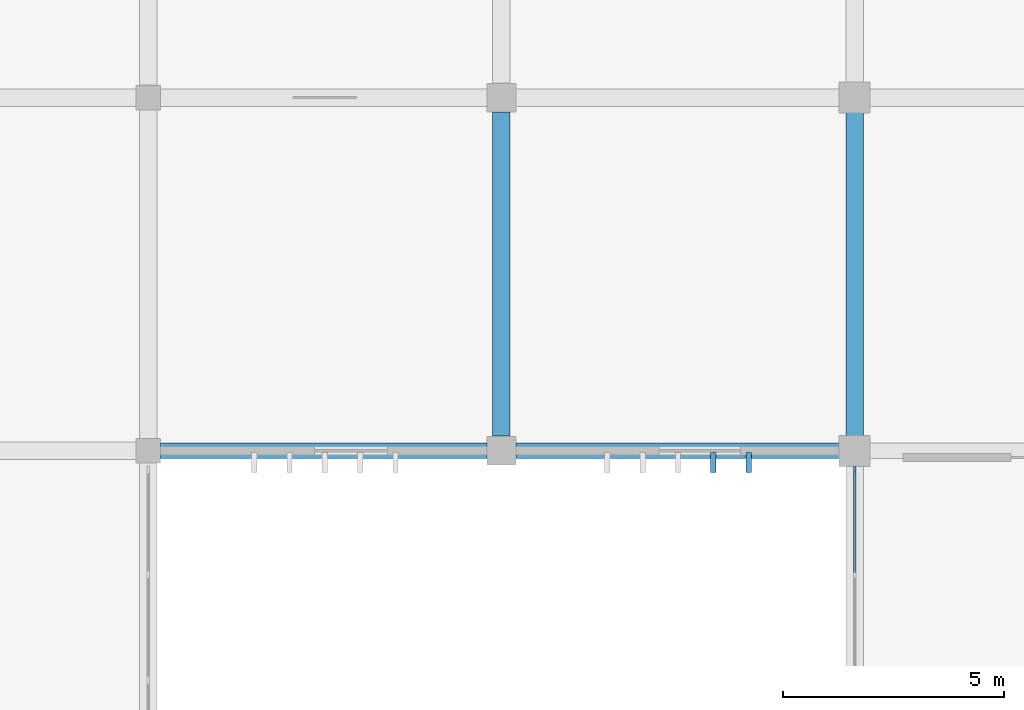
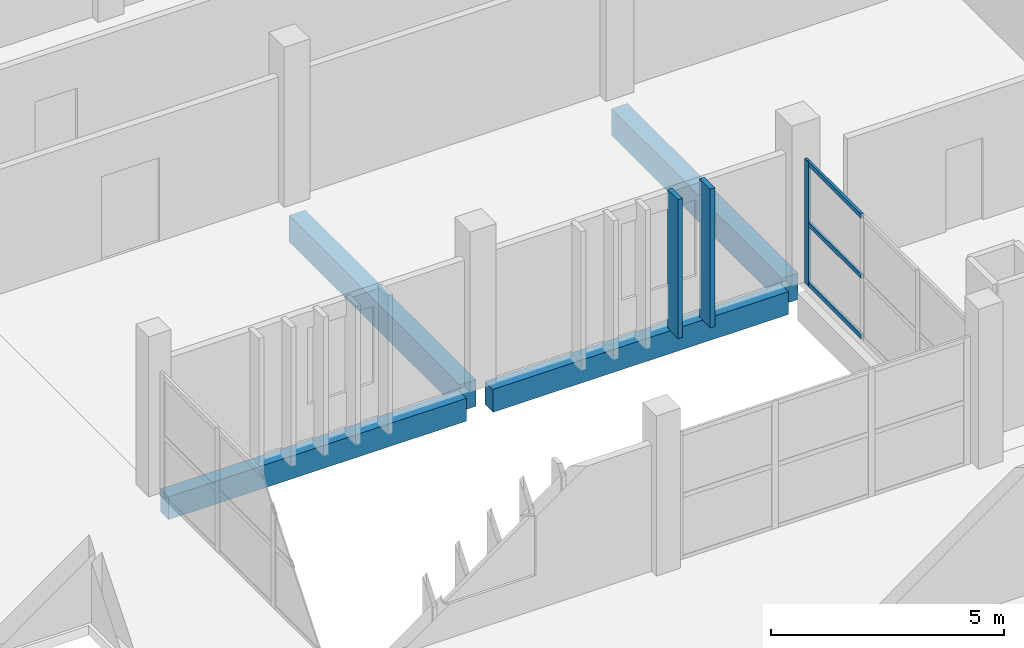
# One storey, part 23 of 83: 6 members, 4 beams, 1 element without a shape of its own.
"""IFC4 building model written with IfcOpenShell, lengths in metres."""

from ifc_helpers import new_model, si_unit, direction, frame, origin, origin_2d, place, context, subcontext, project, spatial, rectangle, extrude, material, layer, layer_set, material_profile, profile_set, type_object, element, aggregate, save


model = new_model("IFC4")

# Units and contexts
model_context = context("Model", 3, precision=1e-05, world=origin(), true_north=direction((0.0, 1.0)))
body_context = subcontext(model_context, "Body", "Model", "MODEL_VIEW")
ifc_project = project(units=[si_unit("LENGTHUNIT", "METRE"), si_unit("AREAUNIT", "SQUARE_METRE"), si_unit("VOLUMEUNIT", "CUBIC_METRE"), si_unit("PLANEANGLEUNIT", "RADIAN"), si_unit("MASSUNIT", "GRAM", prefix="KILO")], contexts=[model_context])

# Site, building, storey
site_placement = place(None, origin())
site = spatial("IfcSite", under=ifc_project, at=site_placement, CompositionType="ELEMENT")
building_placement = place(site_placement, origin())
building = spatial("IfcBuilding", under=site, at=building_placement, Name="Jelvoka-Kovrelna Polytechnic", CompositionType="ELEMENT")
storey_placement = place(building_placement, frame((0.0, 0.0, 13.800048828125)))
storey = spatial("IfcBuildingStorey", under=building, at=storey_placement, Name="L04", CompositionType="ELEMENT", Elevation=13.800048828125)

# Beams
ifc_material_1 = material(Name="Concrete C40/50", Category="concrete")
ifc_material_profile_1 = material_profile(ifc_material_1, rectangle(XDim=0.39990234375, YDim=0.699951171875, at=origin_2d()), Name="RC 400x700")
ifc_profile_set_1 = profile_set([ifc_material_profile_1], Name="Concrete C40/50")
beam_type_1 = type_object("IfcBeamType", Name="Beam_RC_400x700", PredefinedType="BEAM", material=ifc_profile_set_1)
for number, where, z_axis, x_axis, name in (
    (1, (64.0, 56.330078125, -0.60009765625), (0.0, 1.0, 0.0), (-1.0, 0.0, 0.0), "L04 beam 1280"),
    (2, (72.0, 56.330078125, -0.60009765625), (0.0, 1.0, 0.0), (-1.0, 0.0, 0.0), "L04 beam 1282"),
):
    element("IfcBeam", number, at=place(storey_placement, frame(where, z_axis=z_axis, x_axis=x_axis)), inside=storey, type_object=beam_type_1, Name=name, PredefinedType="BEAM", context=body_context, shape_type="SweptSolid", body=[
        extrude(rectangle(XDim=0.39990234375, YDim=0.699951171875, at=origin_2d()), origin(), (0.0, 0.0, 1.0), 7.33984375),
    ])

# Members
ifc_material_2 = material(Name="Precast concrete C40/50", Category="concrete")
ifc_material_profile_2 = material_profile(ifc_material_2, rectangle(XDim=0.1201171875, YDim=0.449951171875, at=origin_2d()), Name="PC 120x450")
ifc_profile_set_2 = profile_set([ifc_material_profile_2], Name="Precast concrete C40/50")
member_type_1 = type_object("IfcMemberType", Name="Louvre_Fin_120x450", PredefinedType="USERDEFINED", material=ifc_profile_set_2)
for number, where, z_axis, x_axis, name in (
    (3, (68.800048828125, 55.735107421875, -0.27001953125), (0.0, 0.0, 1.0), (1.0, 0.0, 0.0), "L04 B3 south vertical solar louvre fin 1634"),
    (4, (69.60009765625, 55.735107421875, -0.27001953125), (0.0, 0.0, 1.0), (1.0, 0.0, 0.0), "L04 B3 south vertical solar louvre fin 1635"),
):
    element("IfcMember", number, at=place(storey_placement, frame(where, z_axis=z_axis, x_axis=x_axis)), inside=storey, type_object=member_type_1, Name=name, ObjectType="SUNSHADE", PredefinedType="USERDEFINED", context=body_context, shape_type="SweptSolid", body=[
        extrude(rectangle(XDim=0.1201171875, YDim=0.449951171875, at=origin_2d()), origin(), (0.0, 0.0, 1.0), 3.64501953125),
    ])

# Curtain wall, member
ifc_material_3 = material(Name="Anodised aluminium 6063-T6", Category="aluminium")
ifc_layer = layer(ifc_material_3, 0.159912109375)
ifc_layer_set = layer_set([ifc_layer], Name="Anodised aluminium 6063-T6")
curtain_wall_type = type_object("IfcCurtainWallType", Name="CW_LinkBridge", PredefinedType="NOTDEFINED", material=ifc_layer_set)
curtain_wall_placement = place(storey_placement, origin())
curtain_wall = element("IfcCurtainWall", 5, at=curtain_wall_placement, inside=storey, type_object=curtain_wall_type, Name="L04 glazed curtain wall 134", PredefinedType="NOTDEFINED")
ifc_material_4 = material(Name="Anodised aluminium 6063-T6", Category="aluminium")
ifc_material_profile_3 = material_profile(ifc_material_4, rectangle(XDim=0.06005859375, YDim=0.159912109375, at=origin_2d()), Name="ALU 60x160")
ifc_profile_set_3 = profile_set([ifc_material_profile_3], Name="Anodised aluminium 6063-T6")
member_type_2 = type_object("IfcMemberType", Name="Mullion_M-04", PredefinedType="MULLION", material=ifc_profile_set_3)
member_1_placement = place(storey_placement, frame((72.0, 55.570068359375, -0.02490234375), z_axis=(0.0, 0.0, 1.0), x_axis=(-1.0, 0.0, 0.0)))
member_1 = element("IfcMember", 6, at=member_1_placement, type_object=member_type_2, Name="CW-04 mullion 4", PredefinedType="MULLION", context=body_context, shape_type="SweptSolid", body=[
    extrude(rectangle(XDim=0.06005859375, YDim=0.159912109375, at=origin_2d()), origin(), (0.0, 0.0, 1.0), 3.27490234375),
])

# Beams
ifc_material_5 = material(Name="Concrete C40/50", Category="concrete")
ifc_material_profile_4 = material_profile(ifc_material_5, rectangle(XDim=0.35009765625, YDim=0.60009765625, at=origin_2d()), Name="RC 350x600")
ifc_profile_set_4 = profile_set([ifc_material_profile_4], Name="Concrete C40/50")
beam_type_2 = type_object("IfcBeamType", Name="Spandrel_RC_350x600", PredefinedType="SPANDREL", material=ifc_profile_set_4)
beam_1_placement = place(storey_placement, frame((56.280029296875, 56.0, -0.550048828125), z_axis=(1.0, 0.0, 0.0), x_axis=(0.0, 1.0, 0.0)))
element("IfcBeam", 7, at=beam_1_placement, inside=storey, type_object=beam_type_2, Name="L04 beam 1258", PredefinedType="SPANDREL", context=body_context, shape_type="SweptSolid", body=[
    extrude(rectangle(XDim=0.35009765625, YDim=0.60009765625, at=origin_2d()), origin(), (0.0, 0.0, 1.0), 7.389892578125),
])
beam_2_placement = place(storey_placement, frame((64.330078125, 56.0, -0.550048828125), z_axis=(1.0, 0.0, 0.0), x_axis=(0.0, 1.0, 0.0)))
element("IfcBeam", 8, at=beam_2_placement, inside=storey, type_object=beam_type_2, Name="L04 beam 1259", PredefinedType="SPANDREL", context=body_context, shape_type="SweptSolid", body=[
    extrude(rectangle(XDim=0.35009765625, YDim=0.60009765625, at=origin_2d()), origin(), (0.0, 0.0, 1.0), 7.33984375),
])

# Member
ifc_material_6 = material(Name="Anodised aluminium 6063-T6", Category="aluminium")
ifc_material_profile_5 = material_profile(ifc_material_6, rectangle(XDim=0.06005859375, YDim=0.1201171875, at=origin_2d()), Name="ALU 60x120")
ifc_profile_set_5 = profile_set([ifc_material_profile_5], Name="Anodised aluminium 6063-T6")
member_type_3 = type_object("IfcMemberType", Name="Transom_T-04", PredefinedType="USERDEFINED", material=ifc_profile_set_5)
member_2_placement = place(storey_placement, frame((72.0, 53.22998046875, 0.030029296875), z_axis=(0.0, 1.0, 0.0), x_axis=(-1.0, 0.0, 0.0)))
member_2 = element("IfcMember", 9, at=member_2_placement, type_object=member_type_3, Name="CW-04 transom 3.1", ObjectType="TRANSOM", PredefinedType="USERDEFINED", context=body_context, shape_type="SweptSolid", body=[
    extrude(rectangle(XDim=0.06005859375, YDim=0.1201171875, at=origin_2d()), origin(), (0.0, 0.0, 1.0), 2.31005859375),
])

member_3_placement = place(storey_placement, frame((72.0, 53.22998046875, 1.612548828125), z_axis=(0.0, 1.0, 0.0), x_axis=(-1.0, 0.0, 0.0)))
member_3 = element("IfcMember", 10, at=member_3_placement, type_object=member_type_3, Name="CW-04 transom 3.2", ObjectType="TRANSOM", PredefinedType="USERDEFINED", context=body_context, shape_type="SweptSolid", body=[
    extrude(rectangle(XDim=0.06005859375, YDim=0.1201171875, at=origin_2d()), origin(), (0.0, 0.0, 1.0), 2.31005859375),
])

member_4_placement = place(storey_placement, frame((72.0, 53.22998046875, 3.195068359375), z_axis=(0.0, 1.0, 0.0), x_axis=(-1.0, 0.0, 0.0)))
member_4 = element("IfcMember", 11, at=member_4_placement, type_object=member_type_3, Name="CW-04 transom 3.3", ObjectType="TRANSOM", PredefinedType="USERDEFINED", context=body_context, shape_type="SweptSolid", body=[
    extrude(rectangle(XDim=0.06005859375, YDim=0.1201171875, at=origin_2d()), origin(), (0.0, 0.0, 1.0), 2.31005859375),
])

aggregate(curtain_wall, [member_1, member_2, member_3, member_4])

save(model, "model.ifc")
